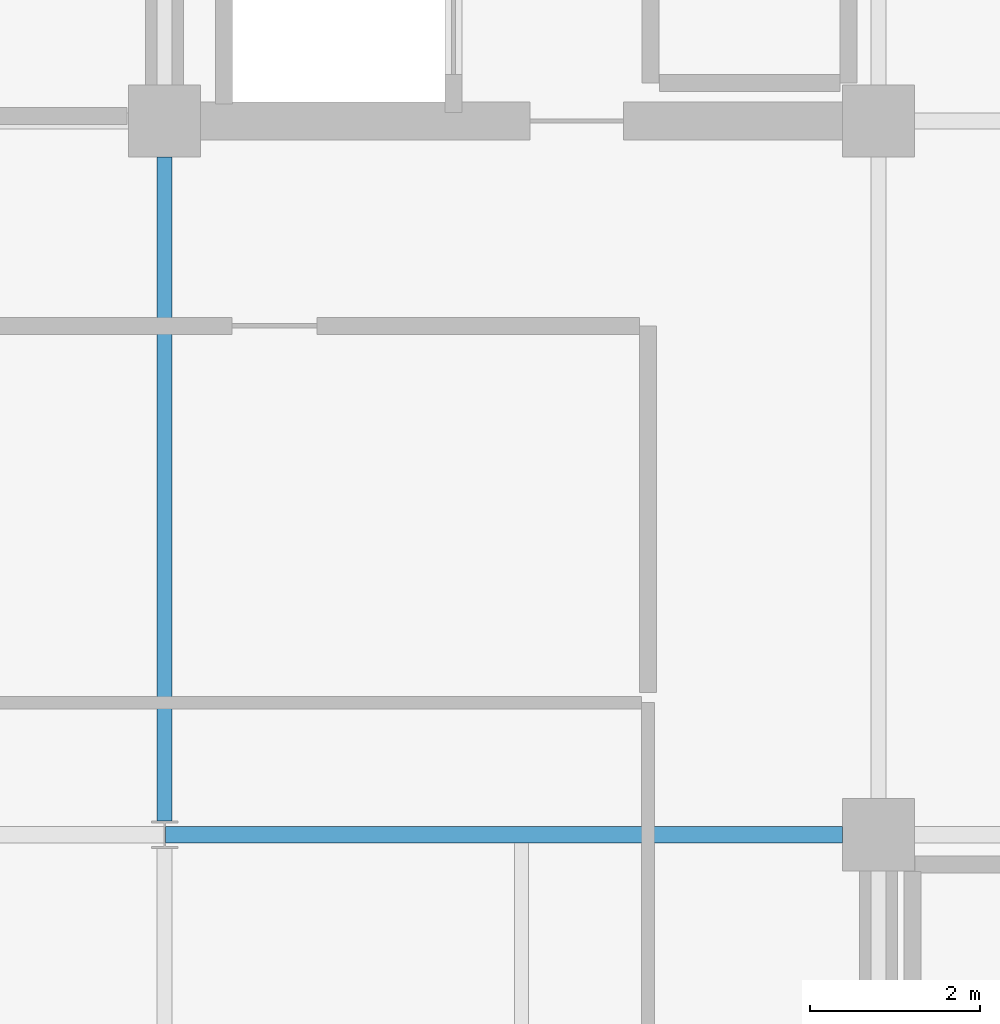
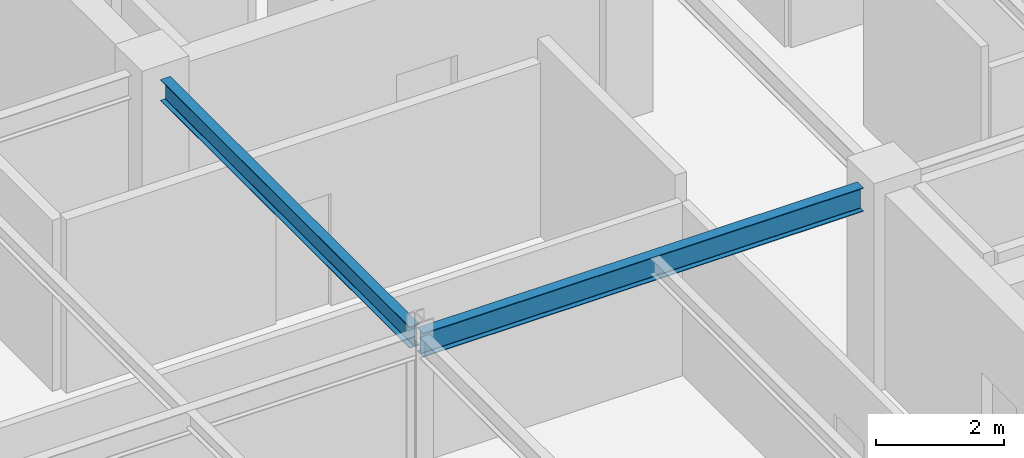
# One storey, part 10 of 27: 2 beams.
"""IFC4 building model written with IfcOpenShell, lengths in metres."""

from ifc_helpers import new_model, si_unit, direction, frame, origin, origin_2d, place, context, subcontext, project, spatial, i_section, extrude, material, material_profile, profile_set, type_object, element, save


model = new_model("IFC4")

# Units and contexts
model_context = context("Model", 3, precision=1e-05, world=origin(), true_north=direction((0.0, 1.0)))
body_context = subcontext(model_context, "Body", "Model", "MODEL_VIEW")
ifc_project = project(units=[si_unit("LENGTHUNIT", "METRE"), si_unit("AREAUNIT", "SQUARE_METRE"), si_unit("VOLUMEUNIT", "CUBIC_METRE"), si_unit("PLANEANGLEUNIT", "RADIAN"), si_unit("MASSUNIT", "GRAM", prefix="KILO")], contexts=[model_context])

# Site, building, storey
site_placement = place(None, origin())
site = spatial("IfcSite", under=ifc_project, at=site_placement, CompositionType="ELEMENT")
building_placement = place(site_placement, origin())
building = spatial("IfcBuilding", under=site, at=building_placement, Name="Nerrivon Quay Data Exchange", CompositionType="ELEMENT")
storey_placement = place(building_placement, frame((0.0, 0.0, 254.199951171875)))
storey = spatial("IfcBuildingStorey", under=building, at=storey_placement, Name="L60", CompositionType="ELEMENT", Elevation=254.199951171875)

# Beams
ifc_material = material(Name="Steel Grade 350", Category="steel")
ifc_material_profile_1 = material_profile(ifc_material, i_section(OverallWidth=0.18994140625, OverallDepth=0.4541015625, WebThickness=0.008544921875, FlangeThickness=0.0126953125, FilletRadius=0.011474609375, at=origin_2d()), Name="460UB67.1")
ifc_profile_set_1 = profile_set([ifc_material_profile_1], Name="Steel Grade 350")
beam_type_1 = type_object("IfcBeamType", Name="BM-G6-460UB67", PredefinedType="BEAM", material=ifc_profile_set_1)
beam_1_placement = place(storey_placement, frame((8.40771484375, 16.800048828125, 3.498046875), z_axis=(1.0, 0.0, 0.0), x_axis=(0.0, 1.0, 0.0)))
element("IfcBeam", 1, at=beam_1_placement, inside=storey, type_object=beam_type_1, Name="L60 EW Girder Y=16.8 (8.4..16.8)", PredefinedType="BEAM", context=body_context, shape_type="SweptSolid", body=[
    extrude(i_section(OverallWidth=0.18994140625, OverallDepth=0.4541015625, WebThickness=0.008544921875, FlangeThickness=0.0126953125, FilletRadius=0.011474609375, at=origin_2d()), origin(), (0.0, 0.0, 1.0), 7.96728515625),
])
ifc_material_profile_2 = material_profile(ifc_material, i_section(OverallWidth=0.177978515625, OverallDepth=0.406005859375, WebThickness=0.0078125, FlangeThickness=0.0126953125, FilletRadius=0.011474609375, at=origin_2d()), Name="410UB59.7")
ifc_profile_set_2 = profile_set([ifc_material_profile_2], Name="Steel Grade 350")
beam_type_2 = type_object("IfcBeamType", Name="BM-J1-410UB60", PredefinedType="JOIST", material=ifc_profile_set_2)
beam_2_placement = place(storey_placement, frame((8.39990234375, 16.96337890625, 3.52197265625), z_axis=(0.0, 1.0, 0.0), x_axis=(-1.0, 0.0, 0.0)))
element("IfcBeam", 2, at=beam_2_placement, inside=storey, type_object=beam_type_2, Name="L60 NS Girder X=8.4 (16.8..25.2)", PredefinedType="JOIST", context=body_context, shape_type="SweptSolid", body=[
    extrude(i_section(OverallWidth=0.177978515625, OverallDepth=0.406005859375, WebThickness=0.0078125, FlangeThickness=0.0126953125, FilletRadius=0.011474609375, at=origin_2d()), origin(), (0.0, 0.0, 1.0), 7.8115234375),
])

save(model, "model.ifc")
